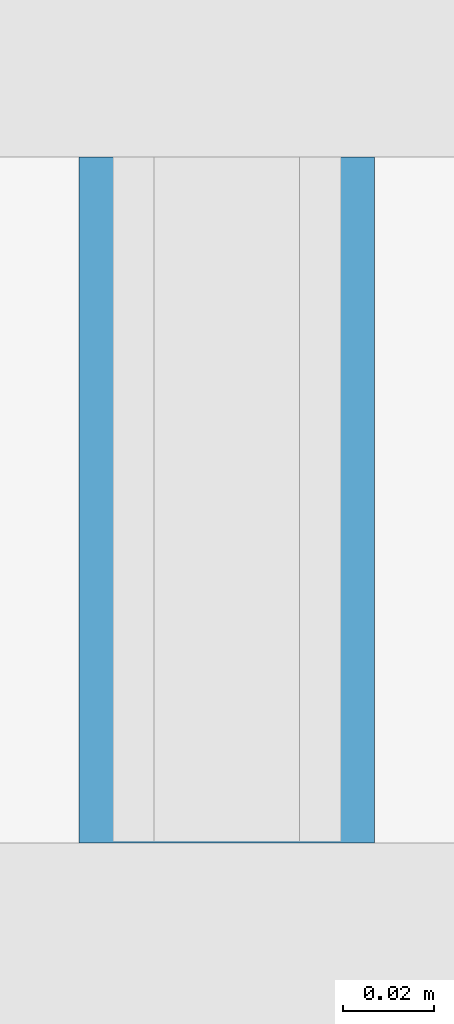
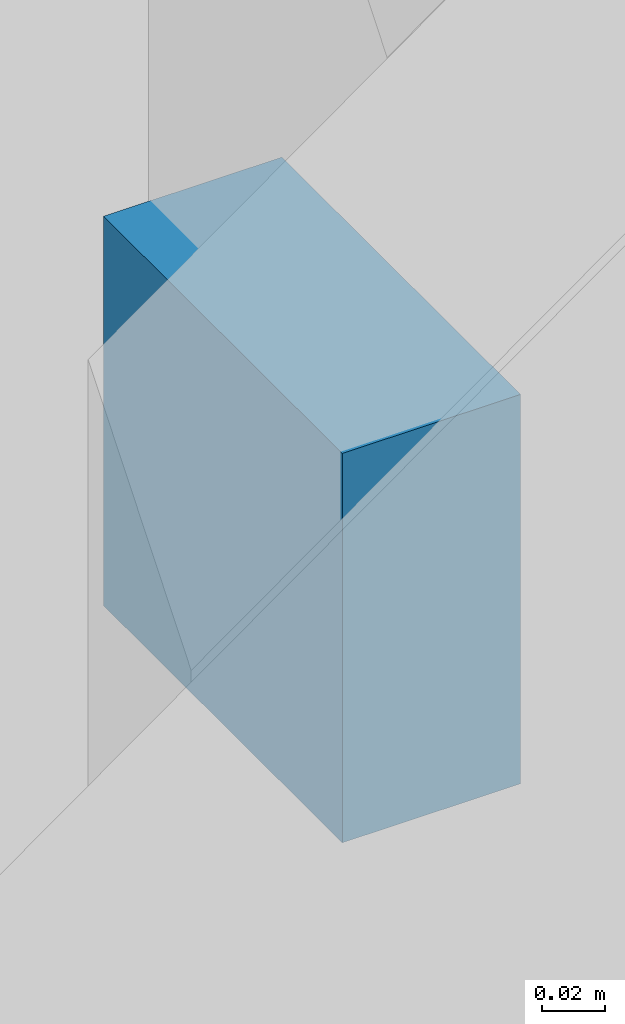
# One storey, part 7 of 15: 1 member, 1 element without a shape of its own.
"""IFC4 building model written with IfcOpenShell, lengths in metres."""

from ifc_helpers import new_model, si_unit, direction, frame, origin, origin_2d, place, context, subcontext, project, spatial, rectangle, extrude, material, material_profile, profile_set, type_object, element, aggregate, save


model = new_model("IFC4")

# Units and contexts
model_context = context("Model", 3, precision=1e-05, world=origin(), true_north=direction((0.0, 1.0)))
body_context = subcontext(model_context, "Body", "Model", "MODEL_VIEW")
ifc_project = project(units=[si_unit("LENGTHUNIT", "METRE"), si_unit("AREAUNIT", "SQUARE_METRE"), si_unit("VOLUMEUNIT", "CUBIC_METRE"), si_unit("PLANEANGLEUNIT", "RADIAN"), si_unit("MASSUNIT", "GRAM", prefix="KILO")], contexts=[model_context])

# Site, building, storey
site_placement = place(None, origin())
site = spatial("IfcSite", under=ifc_project, at=site_placement, CompositionType="ELEMENT")
building_placement = place(site_placement, origin())
building = spatial("IfcBuilding", under=site, at=building_placement, Name="Turquesa Mirador Hotel Tower", CompositionType="ELEMENT")
storey_placement = place(building_placement, frame((0.0, 0.0, 16.0)))
storey = spatial("IfcBuildingStorey", under=building, at=storey_placement, Name="L03", CompositionType="ELEMENT", Elevation=16.0)

# Curtain wall, member
ifc_material_1 = material(Name="Aluminium extrusion", Category="aluminium")
curtain_wall_type = type_object("IfcCurtainWallType", Name="CW-3 PODIUM UPPER CURTAIN WALL", PredefinedType="USERDEFINED", material=ifc_material_1)
curtain_wall_placement = place(storey_placement, origin())
curtain_wall = element("IfcCurtainWall", 1, at=curtain_wall_placement, inside=storey, type_object=curtain_wall_type, Name="CW-3 PODIUM UPPER CURTAIN WALL L03", ObjectType="CURTAIN WALL", PredefinedType="USERDEFINED")
ifc_material_2 = material(Name="Aluminium extrusion", Category="aluminium")
ifc_material_profile = material_profile(ifc_material_2, rectangle(XDim=0.06494140625, YDim=0.14990234375, at=origin_2d()), Name="TRANSOM 65X150")
ifc_profile_set = profile_set([ifc_material_profile], Name="Aluminium extrusion")
member_type = type_object("IfcMemberType", Name="CW TRANSOM 65X150", PredefinedType="USERDEFINED", material=ifc_profile_set)
member_placement = place(storey_placement, frame((27.14990234375, 70.967529296875, 1.10009765625), z_axis=(0.0, -1.0, 0.0), x_axis=(1.0, 0.0, 0.0)))
member = element("IfcMember", 2, at=member_placement, type_object=member_type, Name="Transom", ObjectType="TRANSOM", PredefinedType="USERDEFINED", context=body_context, shape_type="SweptSolid", body=[
    extrude(rectangle(XDim=0.06494140625, YDim=0.14990234375, at=origin_2d()), origin(), (0.0, 0.0, 1.0), 0.150634765625),
])
aggregate(curtain_wall, [member])

save(model, "model.ifc")
